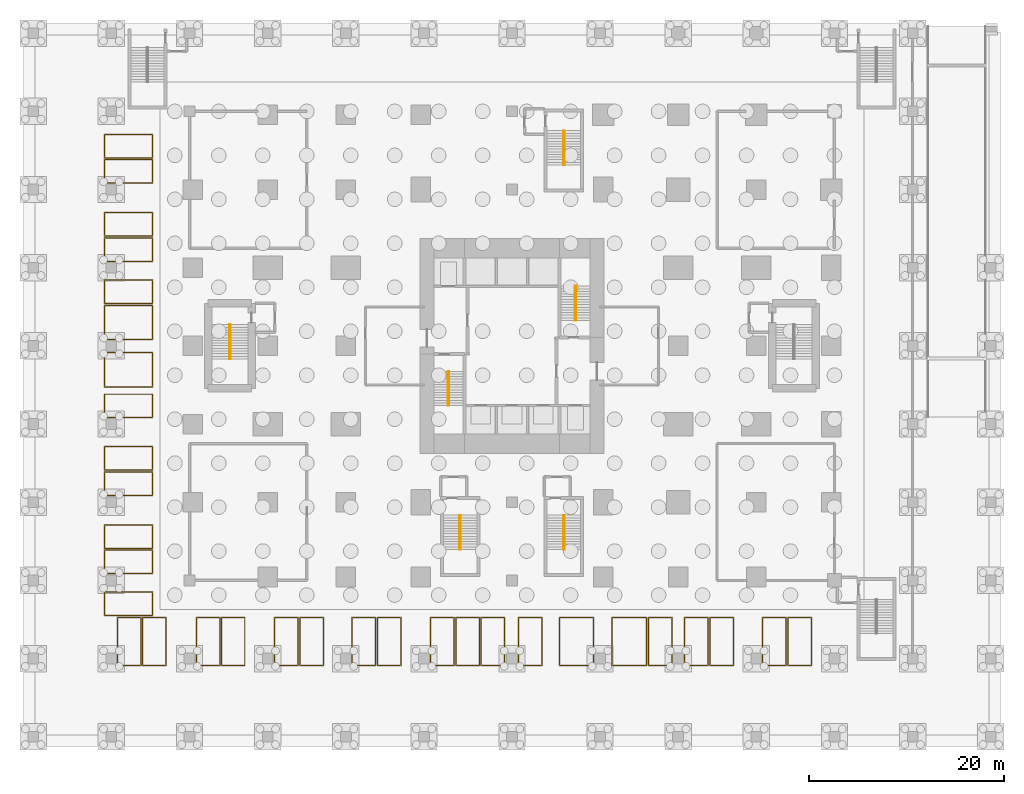
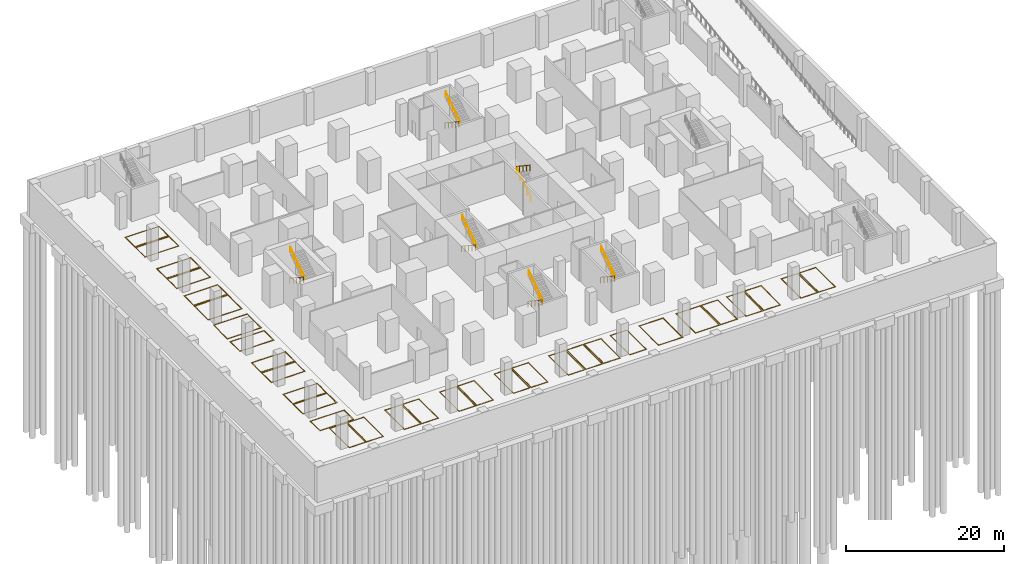
# One storey, part 15 of 17: 32 coverings, 12 railings.
"""IFC4 building model written with IfcOpenShell, lengths in metres."""

from ifc_helpers import new_model, si_unit, direction, frame, origin, origin_2d, place, context, subcontext, project, spatial, polyline, circle, outline, extrude, material, layer, layer_set, type_object, element, save


model = new_model("IFC4")

# Units and contexts
model_context = context("Model", 3, precision=1e-05, world=origin(), true_north=direction((0.0, 1.0)))
body_context = subcontext(model_context, "Body", "Model", "MODEL_VIEW")
ifc_project = project(units=[si_unit("LENGTHUNIT", "METRE"), si_unit("AREAUNIT", "SQUARE_METRE"), si_unit("VOLUMEUNIT", "CUBIC_METRE"), si_unit("PLANEANGLEUNIT", "RADIAN"), si_unit("MASSUNIT", "GRAM", prefix="KILO")], contexts=[model_context])

# Site, building, storey
site_placement = place(None, origin())
site = spatial("IfcSite", under=ifc_project, at=site_placement, CompositionType="ELEMENT")
building_placement = place(site_placement, origin())
building = spatial("IfcBuilding", under=site, at=building_placement, Name="Cleftline Residences", CompositionType="ELEMENT")
storey_placement = place(building_placement, frame((0.0, 0.0, -5.0)))
storey = spatial("IfcBuildingStorey", under=building, at=storey_placement, Name="L-01", CompositionType="ELEMENT", Elevation=-5.0)

# Coverings
ifc_material_1 = material(Name="Thermoplastic road marking, blue")
ifc_layer_1 = layer(ifc_material_1, 0.0029296875)
ifc_layer_set_1 = layer_set([ifc_layer_1], Name="ACCESSIBLE PARKING BAY MARKING 100")
covering_type_1 = type_object("IfcCoveringType", Name="ACCESSIBLE PARKING BAY MARKING 100", PredefinedType="FLOORING", material=ifc_layer_set_1)
covering_1_placement = place(storey_placement, origin())
element("IfcCovering", 1, at=covering_1_placement, inside=storey, type_object=covering_type_1, Name="Accessible parking bay marking 1", PredefinedType="FLOORING", context=body_context, shape_type="SweptSolid", body=[
    extrude(outline(polyline([(41.39990234375, -8.75), (41.39990234375, -3.75), (37.800048828125, -3.75), (37.800048828125, -8.75), (41.39990234375, -8.75)]), holes=[polyline([(41.300048828125, -3.85009765625), (37.89990234375, -3.85009765625), (37.89990234375, -8.64990234375), (41.300048828125, -8.64990234375), (41.300048828125, -3.85009765625)])]), origin(), (0.0, 0.0, 1.0), 0.0029296875),
])
covering_2_placement = place(storey_placement, origin())
element("IfcCovering", 2, at=covering_2_placement, inside=storey, type_object=covering_type_1, Name="Accessible parking bay marking 2", PredefinedType="FLOORING", context=body_context, shape_type="SweptSolid", body=[
    extrude(outline(polyline([(46.800048828125, -8.75), (46.800048828125, -3.75), (43.199951171875, -3.75), (43.199951171875, -8.75), (46.800048828125, -8.75)]), holes=[polyline([(46.699951171875, -3.85009765625), (43.300048828125, -3.85009765625), (43.300048828125, -8.64990234375), (46.699951171875, -8.64990234375), (46.699951171875, -3.85009765625)])]), origin(), (0.0, 0.0, 1.0), 0.0029296875),
])
covering_3_placement = place(storey_placement, origin())
element("IfcCovering", 3, at=covering_3_placement, inside=storey, type_object=covering_type_1, Name="Accessible parking bay marking 3", PredefinedType="FLOORING", context=body_context, shape_type="SweptSolid", body=[
    extrude(outline(polyline([(-3.75, 19.75), (-3.75, 23.35009765625), (-8.75, 23.35009765625), (-8.75, 19.75), (-3.75, 19.75)]), holes=[polyline([(-3.85009765625, 23.25), (-8.64990234375, 23.25), (-8.64990234375, 19.85009765625), (-3.85009765625, 19.85009765625), (-3.85009765625, 23.25)])]), origin(), (0.0, 0.0, 1.0), 0.0029296875),
])
covering_4_placement = place(storey_placement, origin())
element("IfcCovering", 4, at=covering_4_placement, inside=storey, type_object=covering_type_1, Name="Accessible parking bay marking 4", PredefinedType="FLOORING", context=body_context, shape_type="SweptSolid", body=[
    extrude(outline(polyline([(-3.75, 24.60009765625), (-3.75, 28.199951171875), (-8.75, 28.199951171875), (-8.75, 24.60009765625), (-3.75, 24.60009765625)]), holes=[polyline([(-3.85009765625, 28.10009765625), (-8.64990234375, 28.10009765625), (-8.64990234375, 24.699951171875), (-3.85009765625, 24.699951171875), (-3.85009765625, 28.10009765625)])]), origin(), (0.0, 0.0, 1.0), 0.0029296875),
])

# Railings
ifc_material_2 = material(Name="Stainless steel", Category="steel")
railing_type = type_object("IfcRailingType", Name="HANDRAIL 900", PredefinedType="HANDRAIL", material=ifc_material_2)
railing_1_placement = place(storey_placement, frame((26.449951171875, 21.39990234375, 0.1787109375)))
element("IfcRailing", 5, at=railing_1_placement, inside=storey, type_object=railing_type, Name="Stair handrail", PredefinedType="HANDRAIL", context=body_context, shape_type="SweptSolid", body=[
    extrude(circle(Radius=0.02392578125, at=origin_2d()), frame((0.0, 0.0, 0.8759765625), z_axis=(0.0, -0.834097473627, 0.551617081397), x_axis=(1.0, 0.0, 0.0)), (0.0, 0.0, 1.0), 4.208251953125),
    extrude(circle(Radius=0.02099609375, at=origin_2d()), origin(), (0.0, 0.0, 1.0), 0.851806640625),
    extrude(circle(Radius=0.02099609375, at=origin_2d()), frame((0.0, -0.87744140625, 0.580322265625)), (0.0, 0.0, 1.0), 0.851806640625),
    extrude(circle(Radius=0.02099609375, at=origin_2d()), frame((0.0, -1.7548828125, 1.16064453125)), (0.0, 0.0, 1.0), 0.851806640625),
    extrude(circle(Radius=0.02099609375, at=origin_2d()), frame((0.0, -2.632568359375, 1.740966796875)), (0.0, 0.0, 1.0), 0.851806640625),
    extrude(circle(Radius=0.02099609375, at=origin_2d()), frame((0.0, -3.510009765625, 2.3212890625)), (0.0, 0.0, 1.0), 0.851806640625),
])
for number, where, name in (
    (6, (26.550048828125, 17.889892578125, 2.6787109375), "Stair handrail"),
    (7, (39.550048828125, 26.60009765625, 0.1787109375), "Stair handrail"),
):
    element("IfcRailing", number, at=place(storey_placement, frame(where)), inside=storey, type_object=railing_type, Name=name, PredefinedType="HANDRAIL", context=body_context, shape_type="SweptSolid", body=[
        extrude(circle(Radius=0.02392578125, at=origin_2d()), frame((0.0, 0.0, 0.8759765625), z_axis=(0.0, 0.834097473627, 0.551617081397), x_axis=(-1.0, 0.0, 0.0)), (0.0, 0.0, 1.0), 4.208251953125),
        extrude(circle(Radius=0.02099609375, at=origin_2d()), origin(), (0.0, 0.0, 1.0), 0.851806640625),
        extrude(circle(Radius=0.02099609375, at=origin_2d()), frame((0.0, 0.87744140625, 0.580322265625)), (0.0, 0.0, 1.0), 0.851806640625),
        extrude(circle(Radius=0.02099609375, at=origin_2d()), frame((0.0, 1.7548828125, 1.16064453125)), (0.0, 0.0, 1.0), 0.851806640625),
        extrude(circle(Radius=0.02099609375, at=origin_2d()), frame((0.0, 2.632568359375, 1.740966796875)), (0.0, 0.0, 1.0), 0.851806640625),
        extrude(circle(Radius=0.02099609375, at=origin_2d()), frame((0.0, 3.510009765625, 2.3212890625)), (0.0, 0.0, 1.0), 0.851806640625),
    ])
for number, where, name in (
    (8, (39.449951171875, 30.110107421875, 2.6787109375), "Stair handrail"),
    (9, (27.64990234375, 6.669921875, 0.1787109375), "Stair handrail"),
):
    element("IfcRailing", number, at=place(storey_placement, frame(where)), inside=storey, type_object=railing_type, Name=name, PredefinedType="HANDRAIL", context=body_context, shape_type="SweptSolid", body=[
        extrude(circle(Radius=0.02392578125, at=origin_2d()), frame((0.0, 0.0, 0.8759765625), z_axis=(0.0, -0.834097473627, 0.551617081397), x_axis=(1.0, 0.0, 0.0)), (0.0, 0.0, 1.0), 4.208251953125),
        extrude(circle(Radius=0.02099609375, at=origin_2d()), origin(), (0.0, 0.0, 1.0), 0.851806640625),
        extrude(circle(Radius=0.02099609375, at=origin_2d()), frame((0.0, -0.87744140625, 0.580322265625)), (0.0, 0.0, 1.0), 0.851806640625),
        extrude(circle(Radius=0.02099609375, at=origin_2d()), frame((0.0, -1.7548828125, 1.16064453125)), (0.0, 0.0, 1.0), 0.851806640625),
        extrude(circle(Radius=0.02099609375, at=origin_2d()), frame((0.0, -2.632568359375, 1.740966796875)), (0.0, 0.0, 1.0), 0.851806640625),
        extrude(circle(Radius=0.02099609375, at=origin_2d()), frame((0.0, -3.510009765625, 2.3212890625)), (0.0, 0.0, 1.0), 0.851806640625),
    ])
railing_2_placement = place(storey_placement, frame((27.75, 3.159912109375, 2.6787109375)))
element("IfcRailing", 10, at=railing_2_placement, inside=storey, type_object=railing_type, Name="Stair handrail", PredefinedType="HANDRAIL", context=body_context, shape_type="SweptSolid", body=[
    extrude(circle(Radius=0.02392578125, at=origin_2d()), frame((0.0, 0.0, 0.8759765625), z_axis=(0.0, 0.834097473627, 0.551617081397), x_axis=(-1.0, 0.0, 0.0)), (0.0, 0.0, 1.0), 4.208251953125),
    extrude(circle(Radius=0.02099609375, at=origin_2d()), origin(), (0.0, 0.0, 1.0), 0.851806640625),
    extrude(circle(Radius=0.02099609375, at=origin_2d()), frame((0.0, 0.87744140625, 0.580322265625)), (0.0, 0.0, 1.0), 0.851806640625),
    extrude(circle(Radius=0.02099609375, at=origin_2d()), frame((0.0, 1.7548828125, 1.16064453125)), (0.0, 0.0, 1.0), 0.851806640625),
    extrude(circle(Radius=0.02099609375, at=origin_2d()), frame((0.0, 2.632568359375, 1.740966796875)), (0.0, 0.0, 1.0), 0.851806640625),
    extrude(circle(Radius=0.02099609375, at=origin_2d()), frame((0.0, 3.510009765625, 2.3212890625)), (0.0, 0.0, 1.0), 0.851806640625),
])
railing_3_placement = place(storey_placement, frame((38.25, 6.669921875, 0.1787109375)))
element("IfcRailing", 11, at=railing_3_placement, inside=storey, type_object=railing_type, Name="Stair handrail", PredefinedType="HANDRAIL", context=body_context, shape_type="SweptSolid", body=[
    extrude(circle(Radius=0.02392578125, at=origin_2d()), frame((0.0, 0.0, 0.8759765625), z_axis=(0.0, -0.834097473627, 0.551617081397), x_axis=(1.0, 0.0, 0.0)), (0.0, 0.0, 1.0), 4.208251953125),
    extrude(circle(Radius=0.02099609375, at=origin_2d()), origin(), (0.0, 0.0, 1.0), 0.851806640625),
    extrude(circle(Radius=0.02099609375, at=origin_2d()), frame((0.0, -0.87744140625, 0.580322265625)), (0.0, 0.0, 1.0), 0.851806640625),
    extrude(circle(Radius=0.02099609375, at=origin_2d()), frame((0.0, -1.7548828125, 1.16064453125)), (0.0, 0.0, 1.0), 0.851806640625),
    extrude(circle(Radius=0.02099609375, at=origin_2d()), frame((0.0, -2.632568359375, 1.740966796875)), (0.0, 0.0, 1.0), 0.851806640625),
    extrude(circle(Radius=0.02099609375, at=origin_2d()), frame((0.0, -3.510009765625, 2.3212890625)), (0.0, 0.0, 1.0), 0.851806640625),
])
railing_4_placement = place(storey_placement, frame((38.35009765625, 3.159912109375, 2.6787109375)))
element("IfcRailing", 12, at=railing_4_placement, inside=storey, type_object=railing_type, Name="Stair handrail", PredefinedType="HANDRAIL", context=body_context, shape_type="SweptSolid", body=[
    extrude(circle(Radius=0.02392578125, at=origin_2d()), frame((0.0, 0.0, 0.8759765625), z_axis=(0.0, 0.834097473627, 0.551617081397), x_axis=(-1.0, 0.0, 0.0)), (0.0, 0.0, 1.0), 4.208251953125),
    extrude(circle(Radius=0.02099609375, at=origin_2d()), origin(), (0.0, 0.0, 1.0), 0.851806640625),
    extrude(circle(Radius=0.02099609375, at=origin_2d()), frame((0.0, 0.87744140625, 0.580322265625)), (0.0, 0.0, 1.0), 0.851806640625),
    extrude(circle(Radius=0.02099609375, at=origin_2d()), frame((0.0, 1.7548828125, 1.16064453125)), (0.0, 0.0, 1.0), 0.851806640625),
    extrude(circle(Radius=0.02099609375, at=origin_2d()), frame((0.0, 2.632568359375, 1.740966796875)), (0.0, 0.0, 1.0), 0.851806640625),
    extrude(circle(Radius=0.02099609375, at=origin_2d()), frame((0.0, 3.510009765625, 2.3212890625)), (0.0, 0.0, 1.0), 0.851806640625),
])
railing_5_placement = place(storey_placement, frame((38.25, 46.02001953125, 0.1787109375)))
element("IfcRailing", 13, at=railing_5_placement, inside=storey, type_object=railing_type, Name="Stair handrail", PredefinedType="HANDRAIL", context=body_context, shape_type="SweptSolid", body=[
    extrude(circle(Radius=0.02392578125, at=origin_2d()), frame((0.0, 0.0, 0.8759765625), z_axis=(0.0, -0.834097473627, 0.551617081397), x_axis=(1.0, 0.0, 0.0)), (0.0, 0.0, 1.0), 4.208251953125),
    extrude(circle(Radius=0.02099609375, at=origin_2d()), origin(), (0.0, 0.0, 1.0), 0.851806640625),
    extrude(circle(Radius=0.02099609375, at=origin_2d()), frame((0.0, -0.87744140625, 0.580322265625)), (0.0, 0.0, 1.0), 0.851806640625),
    extrude(circle(Radius=0.02099609375, at=origin_2d()), frame((0.0, -1.7548828125, 1.16064453125)), (0.0, 0.0, 1.0), 0.851806640625),
    extrude(circle(Radius=0.02099609375, at=origin_2d()), frame((0.0, -2.632568359375, 1.740966796875)), (0.0, 0.0, 1.0), 0.851806640625),
    extrude(circle(Radius=0.02099609375, at=origin_2d()), frame((0.0, -3.510009765625, 2.3212890625)), (0.0, 0.0, 1.0), 0.851806640625),
])
railing_6_placement = place(storey_placement, frame((38.35009765625, 42.510009765625, 2.6787109375)))
element("IfcRailing", 14, at=railing_6_placement, inside=storey, type_object=railing_type, Name="Stair handrail", PredefinedType="HANDRAIL", context=body_context, shape_type="SweptSolid", body=[
    extrude(circle(Radius=0.02392578125, at=origin_2d()), frame((0.0, 0.0, 0.8759765625), z_axis=(0.0, 0.834097473627, 0.551617081397), x_axis=(-1.0, 0.0, 0.0)), (0.0, 0.0, 1.0), 4.208251953125),
    extrude(circle(Radius=0.02099609375, at=origin_2d()), origin(), (0.0, 0.0, 1.0), 0.851806640625),
    extrude(circle(Radius=0.02099609375, at=origin_2d()), frame((0.0, 0.87744140625, 0.580322265625)), (0.0, 0.0, 1.0), 0.851806640625),
    extrude(circle(Radius=0.02099609375, at=origin_2d()), frame((0.0, 1.7548828125, 1.16064453125)), (0.0, 0.0, 1.0), 0.851806640625),
    extrude(circle(Radius=0.02099609375, at=origin_2d()), frame((0.0, 2.632568359375, 1.740966796875)), (0.0, 0.0, 1.0), 0.851806640625),
    extrude(circle(Radius=0.02099609375, at=origin_2d()), frame((0.0, 3.510009765625, 2.3212890625)), (0.0, 0.0, 1.0), 0.851806640625),
])
railing_7_placement = place(storey_placement, frame((4.074951171875, 26.175048828125, 0.1787109375)))
element("IfcRailing", 15, at=railing_7_placement, inside=storey, type_object=railing_type, Name="Stair handrail", PredefinedType="HANDRAIL", context=body_context, shape_type="SweptSolid", body=[
    extrude(circle(Radius=0.02392578125, at=origin_2d()), frame((0.0, 0.0, 0.8759765625), z_axis=(0.0, -0.834097473627, 0.551617081397), x_axis=(1.0, 0.0, 0.0)), (0.0, 0.0, 1.0), 4.208251953125),
    extrude(circle(Radius=0.02099609375, at=origin_2d()), origin(), (0.0, 0.0, 1.0), 0.851806640625),
    extrude(circle(Radius=0.02099609375, at=origin_2d()), frame((0.0, -0.87744140625, 0.580322265625)), (0.0, 0.0, 1.0), 0.851806640625),
    extrude(circle(Radius=0.02099609375, at=origin_2d()), frame((0.0, -1.7548828125, 1.16064453125)), (0.0, 0.0, 1.0), 0.851806640625),
    extrude(circle(Radius=0.02099609375, at=origin_2d()), frame((0.0, -2.632568359375, 1.740966796875)), (0.0, 0.0, 1.0), 0.851806640625),
    extrude(circle(Radius=0.02099609375, at=origin_2d()), frame((0.0, -3.510009765625, 2.3212890625)), (0.0, 0.0, 1.0), 0.851806640625),
])
railing_8_placement = place(storey_placement, frame((4.175048828125, 22.6650390625, 2.6787109375)))
element("IfcRailing", 16, at=railing_8_placement, inside=storey, type_object=railing_type, Name="Stair handrail", PredefinedType="HANDRAIL", context=body_context, shape_type="SweptSolid", body=[
    extrude(circle(Radius=0.02392578125, at=origin_2d()), frame((0.0, 0.0, 0.8759765625), z_axis=(0.0, 0.834097473627, 0.551617081397), x_axis=(-1.0, 0.0, 0.0)), (0.0, 0.0, 1.0), 4.208251953125),
    extrude(circle(Radius=0.02099609375, at=origin_2d()), origin(), (0.0, 0.0, 1.0), 0.851806640625),
    extrude(circle(Radius=0.02099609375, at=origin_2d()), frame((0.0, 0.87744140625, 0.580322265625)), (0.0, 0.0, 1.0), 0.851806640625),
    extrude(circle(Radius=0.02099609375, at=origin_2d()), frame((0.0, 1.7548828125, 1.16064453125)), (0.0, 0.0, 1.0), 0.851806640625),
    extrude(circle(Radius=0.02099609375, at=origin_2d()), frame((0.0, 2.632568359375, 1.740966796875)), (0.0, 0.0, 1.0), 0.851806640625),
    extrude(circle(Radius=0.02099609375, at=origin_2d()), frame((0.0, 3.510009765625, 2.3212890625)), (0.0, 0.0, 1.0), 0.851806640625),
])

# Coverings
ifc_material_3 = material(Name="Thermoplastic road marking, white")
ifc_layer_2 = layer(ifc_material_3, 0.0029296875)
ifc_layer_set_2 = layer_set([ifc_layer_2], Name="PARKING BAY MARKING 100")
covering_type_2 = type_object("IfcCoveringType", Name="PARKING BAY MARKING 100", PredefinedType="FLOORING", material=ifc_layer_set_2)
covering_5_placement = place(storey_placement, origin())
element("IfcCovering", 17, at=covering_5_placement, inside=storey, type_object=covering_type_2, Name="Parking bay marking 1", PredefinedType="FLOORING", context=body_context, shape_type="SweptSolid", body=[
    extrude(outline(polyline([(-4.89990234375, -8.75), (-4.89990234375, -3.75), (-7.39990234375, -3.75), (-7.39990234375, -8.75), (-4.89990234375, -8.75)]), holes=[polyline([(-5.0, -3.85009765625), (-7.300048828125, -3.85009765625), (-7.300048828125, -8.64990234375), (-5.0, -8.64990234375), (-5.0, -3.85009765625)])]), origin(), (0.0, 0.0, 1.0), 0.0029296875),
])
covering_6_placement = place(storey_placement, origin())
element("IfcCovering", 18, at=covering_6_placement, inside=storey, type_object=covering_type_2, Name="Parking bay marking 2", PredefinedType="FLOORING", context=body_context, shape_type="SweptSolid", body=[
    extrude(outline(polyline([(-2.35009765625, -8.75), (-2.35009765625, -3.75), (-4.85009765625, -3.75), (-4.85009765625, -8.75), (-2.35009765625, -8.75)]), holes=[polyline([(-2.449951171875, -3.85009765625), (-4.75, -3.85009765625), (-4.75, -8.64990234375), (-2.449951171875, -8.64990234375), (-2.449951171875, -3.85009765625)])]), origin(), (0.0, 0.0, 1.0), 0.0029296875),
])
covering_7_placement = place(storey_placement, origin())
element("IfcCovering", 19, at=covering_7_placement, inside=storey, type_object=covering_type_2, Name="Parking bay marking 3", PredefinedType="FLOORING", context=body_context, shape_type="SweptSolid", body=[
    extrude(outline(polyline([(3.14990234375, -8.75), (3.14990234375, -3.75), (0.64990234375, -3.75), (0.64990234375, -8.75), (3.14990234375, -8.75)]), holes=[polyline([(3.050048828125, -3.85009765625), (0.75, -3.85009765625), (0.75, -8.64990234375), (3.050048828125, -8.64990234375), (3.050048828125, -3.85009765625)])]), origin(), (0.0, 0.0, 1.0), 0.0029296875),
])
covering_8_placement = place(storey_placement, origin())
element("IfcCovering", 20, at=covering_8_placement, inside=storey, type_object=covering_type_2, Name="Parking bay marking 4", PredefinedType="FLOORING", context=body_context, shape_type="SweptSolid", body=[
    extrude(outline(polyline([(5.699951171875, -8.75), (5.699951171875, -3.75), (3.199951171875, -3.75), (3.199951171875, -8.75), (5.699951171875, -8.75)]), holes=[polyline([(5.60009765625, -3.85009765625), (3.300048828125, -3.85009765625), (3.300048828125, -8.64990234375), (5.60009765625, -8.64990234375), (5.60009765625, -3.85009765625)])]), origin(), (0.0, 0.0, 1.0), 0.0029296875),
])
covering_9_placement = place(storey_placement, origin())
element("IfcCovering", 21, at=covering_9_placement, inside=storey, type_object=covering_type_2, Name="Parking bay marking 5", PredefinedType="FLOORING", context=body_context, shape_type="SweptSolid", body=[
    extrude(outline(polyline([(11.14990234375, -8.75), (11.14990234375, -3.75), (8.64990234375, -3.75), (8.64990234375, -8.75), (11.14990234375, -8.75)]), holes=[polyline([(11.050048828125, -3.85009765625), (8.75, -3.85009765625), (8.75, -8.64990234375), (11.050048828125, -8.64990234375), (11.050048828125, -3.85009765625)])]), origin(), (0.0, 0.0, 1.0), 0.0029296875),
])
covering_10_placement = place(storey_placement, origin())
element("IfcCovering", 22, at=covering_10_placement, inside=storey, type_object=covering_type_2, Name="Parking bay marking 6", PredefinedType="FLOORING", context=body_context, shape_type="SweptSolid", body=[
    extrude(outline(polyline([(13.75, -8.75), (13.75, -3.75), (11.25, -3.75), (11.25, -8.75), (13.75, -8.75)]), holes=[polyline([(13.64990234375, -3.85009765625), (11.35009765625, -3.85009765625), (11.35009765625, -8.64990234375), (13.64990234375, -8.64990234375), (13.64990234375, -3.85009765625)])]), origin(), (0.0, 0.0, 1.0), 0.0029296875),
])
covering_11_placement = place(storey_placement, origin())
element("IfcCovering", 23, at=covering_11_placement, inside=storey, type_object=covering_type_2, Name="Parking bay marking 7", PredefinedType="FLOORING", context=body_context, shape_type="SweptSolid", body=[
    extrude(outline(polyline([(19.10009765625, -8.75), (19.10009765625, -3.75), (16.60009765625, -3.75), (16.60009765625, -8.75), (19.10009765625, -8.75)]), holes=[polyline([(19.0, -3.85009765625), (16.699951171875, -3.85009765625), (16.699951171875, -8.64990234375), (19.0, -8.64990234375), (19.0, -3.85009765625)])]), origin(), (0.0, 0.0, 1.0), 0.0029296875),
])
covering_12_placement = place(storey_placement, origin())
element("IfcCovering", 24, at=covering_12_placement, inside=storey, type_object=covering_type_2, Name="Parking bay marking 8", PredefinedType="FLOORING", context=body_context, shape_type="SweptSolid", body=[
    extrude(outline(polyline([(21.699951171875, -8.75), (21.699951171875, -3.75), (19.199951171875, -3.75), (19.199951171875, -8.75), (21.699951171875, -8.75)]), holes=[polyline([(21.60009765625, -3.85009765625), (19.300048828125, -3.85009765625), (19.300048828125, -8.64990234375), (21.60009765625, -8.64990234375), (21.60009765625, -3.85009765625)])]), origin(), (0.0, 0.0, 1.0), 0.0029296875),
])
covering_13_placement = place(storey_placement, origin())
element("IfcCovering", 25, at=covering_13_placement, inside=storey, type_object=covering_type_2, Name="Parking bay marking 9", PredefinedType="FLOORING", context=body_context, shape_type="SweptSolid", body=[
    extrude(outline(polyline([(27.10009765625, -8.75), (27.10009765625, -3.75), (24.60009765625, -3.75), (24.60009765625, -8.75), (27.10009765625, -8.75)]), holes=[polyline([(27.0, -3.85009765625), (24.699951171875, -3.85009765625), (24.699951171875, -8.64990234375), (27.0, -8.64990234375), (27.0, -3.85009765625)])]), origin(), (0.0, 0.0, 1.0), 0.0029296875),
])
covering_14_placement = place(storey_placement, origin())
element("IfcCovering", 26, at=covering_14_placement, inside=storey, type_object=covering_type_2, Name="Parking bay marking 10", PredefinedType="FLOORING", context=body_context, shape_type="SweptSolid", body=[
    extrude(outline(polyline([(29.699951171875, -8.75), (29.699951171875, -3.75), (27.199951171875, -3.75), (27.199951171875, -8.75), (29.699951171875, -8.75)]), holes=[polyline([(29.60009765625, -3.85009765625), (27.300048828125, -3.85009765625), (27.300048828125, -8.64990234375), (29.60009765625, -8.64990234375), (29.60009765625, -3.85009765625)])]), origin(), (0.0, 0.0, 1.0), 0.0029296875),
])
covering_15_placement = place(storey_placement, origin())
element("IfcCovering", 27, at=covering_15_placement, inside=storey, type_object=covering_type_2, Name="Parking bay marking 11", PredefinedType="FLOORING", context=body_context, shape_type="SweptSolid", body=[
    extrude(outline(polyline([(32.300048828125, -8.75), (32.300048828125, -3.75), (29.800048828125, -3.75), (29.800048828125, -8.75), (32.300048828125, -8.75)]), holes=[polyline([(32.199951171875, -3.85009765625), (29.89990234375, -3.85009765625), (29.89990234375, -8.64990234375), (32.199951171875, -8.64990234375), (32.199951171875, -3.85009765625)])]), origin(), (0.0, 0.0, 1.0), 0.0029296875),
])
covering_16_placement = place(storey_placement, origin())
element("IfcCovering", 28, at=covering_16_placement, inside=storey, type_object=covering_type_2, Name="Parking bay marking 12", PredefinedType="FLOORING", context=body_context, shape_type="SweptSolid", body=[
    extrude(outline(polyline([(36.10009765625, -8.75), (36.10009765625, -3.75), (33.60009765625, -3.75), (33.60009765625, -8.75), (36.10009765625, -8.75)]), holes=[polyline([(36.0, -3.85009765625), (33.699951171875, -3.85009765625), (33.699951171875, -8.64990234375), (36.0, -8.64990234375), (36.0, -3.85009765625)])]), origin(), (0.0, 0.0, 1.0), 0.0029296875),
])
covering_17_placement = place(storey_placement, origin())
element("IfcCovering", 29, at=covering_17_placement, inside=storey, type_object=covering_type_2, Name="Parking bay marking 13", PredefinedType="FLOORING", context=body_context, shape_type="SweptSolid", body=[
    extrude(outline(polyline([(49.39990234375, -8.75), (49.39990234375, -3.75), (46.89990234375, -3.75), (46.89990234375, -8.75), (49.39990234375, -8.75)]), holes=[polyline([(49.300048828125, -3.85009765625), (47.0, -3.85009765625), (47.0, -8.64990234375), (49.300048828125, -8.64990234375), (49.300048828125, -3.85009765625)])]), origin(), (0.0, 0.0, 1.0), 0.0029296875),
])
covering_18_placement = place(storey_placement, origin())
element("IfcCovering", 30, at=covering_18_placement, inside=storey, type_object=covering_type_2, Name="Parking bay marking 14", PredefinedType="FLOORING", context=body_context, shape_type="SweptSolid", body=[
    extrude(outline(polyline([(53.10009765625, -8.75), (53.10009765625, -3.75), (50.60009765625, -3.75), (50.60009765625, -8.75), (53.10009765625, -8.75)]), holes=[polyline([(53.0, -3.85009765625), (50.699951171875, -3.85009765625), (50.699951171875, -8.64990234375), (53.0, -8.64990234375), (53.0, -3.85009765625)])]), origin(), (0.0, 0.0, 1.0), 0.0029296875),
])
covering_19_placement = place(storey_placement, origin())
element("IfcCovering", 31, at=covering_19_placement, inside=storey, type_object=covering_type_2, Name="Parking bay marking 15", PredefinedType="FLOORING", context=body_context, shape_type="SweptSolid", body=[
    extrude(outline(polyline([(55.699951171875, -8.75), (55.699951171875, -3.75), (53.199951171875, -3.75), (53.199951171875, -8.75), (55.699951171875, -8.75)]), holes=[polyline([(55.60009765625, -3.85009765625), (53.300048828125, -3.85009765625), (53.300048828125, -8.64990234375), (55.60009765625, -8.64990234375), (55.60009765625, -3.85009765625)])]), origin(), (0.0, 0.0, 1.0), 0.0029296875),
])
covering_20_placement = place(storey_placement, origin())
element("IfcCovering", 32, at=covering_20_placement, inside=storey, type_object=covering_type_2, Name="Parking bay marking 16", PredefinedType="FLOORING", context=body_context, shape_type="SweptSolid", body=[
    extrude(outline(polyline([(61.10009765625, -8.75), (61.10009765625, -3.75), (58.60009765625, -3.75), (58.60009765625, -8.75), (61.10009765625, -8.75)]), holes=[polyline([(61.0, -3.85009765625), (58.699951171875, -3.85009765625), (58.699951171875, -8.64990234375), (61.0, -8.64990234375), (61.0, -3.85009765625)])]), origin(), (0.0, 0.0, 1.0), 0.0029296875),
])
covering_21_placement = place(storey_placement, origin())
element("IfcCovering", 33, at=covering_21_placement, inside=storey, type_object=covering_type_2, Name="Parking bay marking 17", PredefinedType="FLOORING", context=body_context, shape_type="SweptSolid", body=[
    extrude(outline(polyline([(63.699951171875, -8.75), (63.699951171875, -3.75), (61.199951171875, -3.75), (61.199951171875, -8.75), (63.699951171875, -8.75)]), holes=[polyline([(63.60009765625, -3.85009765625), (61.300048828125, -3.85009765625), (61.300048828125, -8.64990234375), (63.60009765625, -8.64990234375), (63.60009765625, -3.85009765625)])]), origin(), (0.0, 0.0, 1.0), 0.0029296875),
])
covering_22_placement = place(storey_placement, origin())
element("IfcCovering", 34, at=covering_22_placement, inside=storey, type_object=covering_type_2, Name="Parking bay marking 18", PredefinedType="FLOORING", context=body_context, shape_type="SweptSolid", body=[
    extrude(outline(polyline([(-3.75, -3.64990234375), (-3.75, -1.14990234375), (-8.75, -1.14990234375), (-8.75, -3.64990234375), (-3.75, -3.64990234375)]), holes=[polyline([(-3.85009765625, -1.25), (-8.64990234375, -1.25), (-8.64990234375, -3.550048828125), (-3.85009765625, -3.550048828125), (-3.85009765625, -1.25)])]), origin(), (0.0, 0.0, 1.0), 0.0029296875),
])
covering_23_placement = place(storey_placement, origin())
element("IfcCovering", 35, at=covering_23_placement, inside=storey, type_object=covering_type_2, Name="Parking bay marking 19", PredefinedType="FLOORING", context=body_context, shape_type="SweptSolid", body=[
    extrude(outline(polyline([(-3.75, 0.64990234375), (-3.75, 3.14990234375), (-8.75, 3.14990234375), (-8.75, 0.64990234375), (-3.75, 0.64990234375)]), holes=[polyline([(-3.85009765625, 3.050048828125), (-8.64990234375, 3.050048828125), (-8.64990234375, 0.75), (-3.85009765625, 0.75), (-3.85009765625, 3.050048828125)])]), origin(), (0.0, 0.0, 1.0), 0.0029296875),
])
covering_24_placement = place(storey_placement, origin())
element("IfcCovering", 36, at=covering_24_placement, inside=storey, type_object=covering_type_2, Name="Parking bay marking 20", PredefinedType="FLOORING", context=body_context, shape_type="SweptSolid", body=[
    extrude(outline(polyline([(-3.75, 3.199951171875), (-3.75, 5.699951171875), (-8.75, 5.699951171875), (-8.75, 3.199951171875), (-3.75, 3.199951171875)]), holes=[polyline([(-3.85009765625, 5.60009765625), (-8.64990234375, 5.60009765625), (-8.64990234375, 3.300048828125), (-3.85009765625, 3.300048828125), (-3.85009765625, 5.60009765625)])]), origin(), (0.0, 0.0, 1.0), 0.0029296875),
])
covering_25_placement = place(storey_placement, origin())
element("IfcCovering", 37, at=covering_25_placement, inside=storey, type_object=covering_type_2, Name="Parking bay marking 21", PredefinedType="FLOORING", context=body_context, shape_type="SweptSolid", body=[
    extrude(outline(polyline([(-3.75, 8.64990234375), (-3.75, 11.14990234375), (-8.75, 11.14990234375), (-8.75, 8.64990234375), (-3.75, 8.64990234375)]), holes=[polyline([(-3.85009765625, 11.050048828125), (-8.64990234375, 11.050048828125), (-8.64990234375, 8.75), (-3.85009765625, 8.75), (-3.85009765625, 11.050048828125)])]), origin(), (0.0, 0.0, 1.0), 0.0029296875),
])
covering_26_placement = place(storey_placement, origin())
element("IfcCovering", 38, at=covering_26_placement, inside=storey, type_object=covering_type_2, Name="Parking bay marking 22", PredefinedType="FLOORING", context=body_context, shape_type="SweptSolid", body=[
    extrude(outline(polyline([(-3.75, 11.25), (-3.75, 13.75), (-8.75, 13.75), (-8.75, 11.25), (-3.75, 11.25)]), holes=[polyline([(-3.85009765625, 13.64990234375), (-8.64990234375, 13.64990234375), (-8.64990234375, 11.35009765625), (-3.85009765625, 11.35009765625), (-3.85009765625, 13.64990234375)])]), origin(), (0.0, 0.0, 1.0), 0.0029296875),
])
covering_27_placement = place(storey_placement, origin())
element("IfcCovering", 39, at=covering_27_placement, inside=storey, type_object=covering_type_2, Name="Parking bay marking 23", PredefinedType="FLOORING", context=body_context, shape_type="SweptSolid", body=[
    extrude(outline(polyline([(-3.75, 16.60009765625), (-3.75, 19.10009765625), (-8.75, 19.10009765625), (-8.75, 16.60009765625), (-3.75, 16.60009765625)]), holes=[polyline([(-3.85009765625, 19.0), (-8.64990234375, 19.0), (-8.64990234375, 16.699951171875), (-3.85009765625, 16.699951171875), (-3.85009765625, 19.0)])]), origin(), (0.0, 0.0, 1.0), 0.0029296875),
])
covering_28_placement = place(storey_placement, origin())
element("IfcCovering", 40, at=covering_28_placement, inside=storey, type_object=covering_type_2, Name="Parking bay marking 24", PredefinedType="FLOORING", context=body_context, shape_type="SweptSolid", body=[
    extrude(outline(polyline([(-3.75, 28.300048828125), (-3.75, 30.800048828125), (-8.75, 30.800048828125), (-8.75, 28.300048828125), (-3.75, 28.300048828125)]), holes=[polyline([(-3.85009765625, 30.699951171875), (-8.64990234375, 30.699951171875), (-8.64990234375, 28.39990234375), (-3.85009765625, 28.39990234375), (-3.85009765625, 30.699951171875)])]), origin(), (0.0, 0.0, 1.0), 0.0029296875),
])
covering_29_placement = place(storey_placement, origin())
element("IfcCovering", 41, at=covering_29_placement, inside=storey, type_object=covering_type_2, Name="Parking bay marking 25", PredefinedType="FLOORING", context=body_context, shape_type="SweptSolid", body=[
    extrude(outline(polyline([(-3.75, 32.60009765625), (-3.75, 35.10009765625), (-8.75, 35.10009765625), (-8.75, 32.60009765625), (-3.75, 32.60009765625)]), holes=[polyline([(-3.85009765625, 35.0), (-8.64990234375, 35.0), (-8.64990234375, 32.699951171875), (-3.85009765625, 32.699951171875), (-3.85009765625, 35.0)])]), origin(), (0.0, 0.0, 1.0), 0.0029296875),
])
covering_30_placement = place(storey_placement, origin())
element("IfcCovering", 42, at=covering_30_placement, inside=storey, type_object=covering_type_2, Name="Parking bay marking 26", PredefinedType="FLOORING", context=body_context, shape_type="SweptSolid", body=[
    extrude(outline(polyline([(-3.75, 35.199951171875), (-3.75, 37.699951171875), (-8.75, 37.699951171875), (-8.75, 35.199951171875), (-3.75, 35.199951171875)]), holes=[polyline([(-3.85009765625, 37.60009765625), (-8.64990234375, 37.60009765625), (-8.64990234375, 35.300048828125), (-3.85009765625, 35.300048828125), (-3.85009765625, 37.60009765625)])]), origin(), (0.0, 0.0, 1.0), 0.0029296875),
])
covering_31_placement = place(storey_placement, origin())
element("IfcCovering", 43, at=covering_31_placement, inside=storey, type_object=covering_type_2, Name="Parking bay marking 27", PredefinedType="FLOORING", context=body_context, shape_type="SweptSolid", body=[
    extrude(outline(polyline([(-3.75, 40.60009765625), (-3.75, 43.10009765625), (-8.75, 43.10009765625), (-8.75, 40.60009765625), (-3.75, 40.60009765625)]), holes=[polyline([(-3.85009765625, 43.0), (-8.64990234375, 43.0), (-8.64990234375, 40.699951171875), (-3.85009765625, 40.699951171875), (-3.85009765625, 43.0)])]), origin(), (0.0, 0.0, 1.0), 0.0029296875),
])
covering_32_placement = place(storey_placement, origin())
element("IfcCovering", 44, at=covering_32_placement, inside=storey, type_object=covering_type_2, Name="Parking bay marking 28", PredefinedType="FLOORING", context=body_context, shape_type="SweptSolid", body=[
    extrude(outline(polyline([(-3.75, 43.199951171875), (-3.75, 45.699951171875), (-8.75, 45.699951171875), (-8.75, 43.199951171875), (-3.75, 43.199951171875)]), holes=[polyline([(-3.85009765625, 45.60009765625), (-8.64990234375, 45.60009765625), (-8.64990234375, 43.300048828125), (-3.85009765625, 43.300048828125), (-3.85009765625, 45.60009765625)])]), origin(), (0.0, 0.0, 1.0), 0.0029296875),
])

save(model, "model.ifc")
